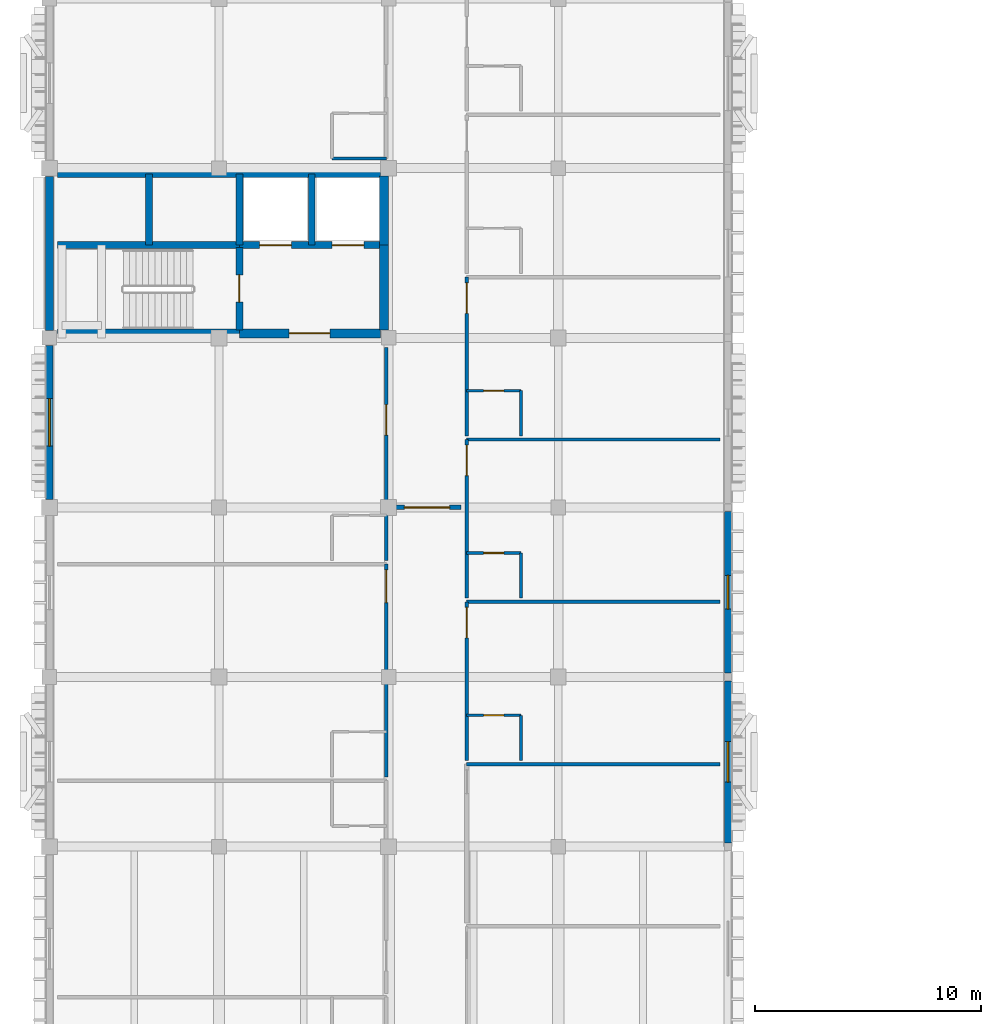
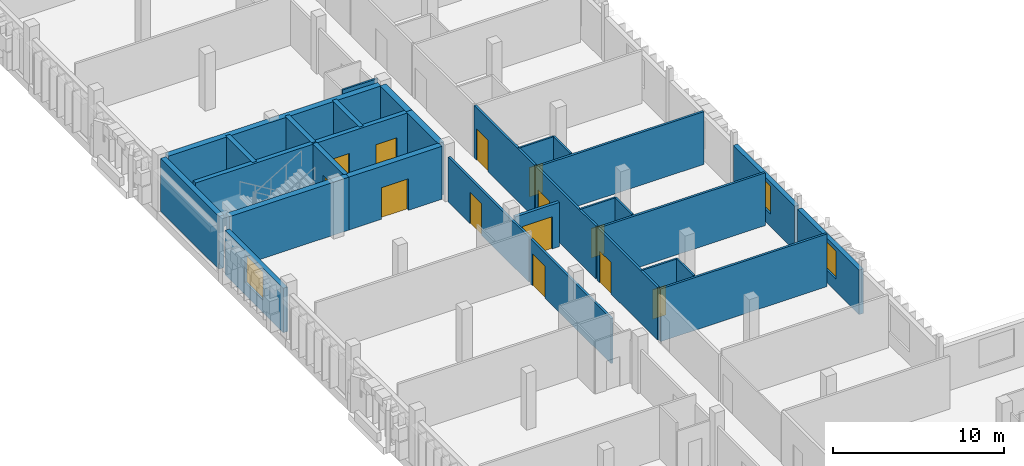
# One storey, part 18 of 48: 31 walls, 13 doors, 3 windows, 16 openings.
"""IFC4 building model written with IfcOpenShell, lengths in metres."""

import ifcopenshell
import ifcopenshell.guid

model = None  # the IFC model being written
_history = None  # IfcOwnerHistory: only IFC2X3 demands one
_inside = {}  # id of a spatial element -> (the spatial element, [elements in it])
_under = {}  # id of a project, library or spatial element -> (it, [spatial elements below it])
_declared = {}  # id of a project -> (the project, [libraries it declares])
_typed = {}  # id of a type object -> (the type object, [elements of that type])
_made_of = {}  # id of a material, layer set ... -> (it, [elements and type objects made of it])


def new_model(schema):
    """Start an empty IFC model of exactly this schema.

    Asked for "IFC4X3", IfcOpenShell would pick the latest addendum, in which some entities
    have other attributes; the version numbers below select the first issue.
    IFC2X3 requires an IfcOwnerHistory on every rooted entity: one is made here for all.
    """
    global model, _history
    if schema == "IFC4X3":
        model = ifcopenshell.file(schema_version=(4, 3, 0, 0))
    else:
        model = ifcopenshell.file(schema=schema)
    _inside.clear()
    _under.clear()
    _declared.clear()
    _typed.clear()
    _made_of.clear()
    _history = None
    if model.schema == "IFC2X3":
        org = make("IfcOrganization", Name="unknown")
        user = make(
            "IfcPersonAndOrganization",
            ThePerson=make("IfcPerson", FamilyName="unknown"),
            TheOrganization=org,
        )
        app = make(
            "IfcApplication",
            ApplicationDeveloper=org,
            Version="unknown",
            ApplicationFullName="unknown",
            ApplicationIdentifier="unknown",
        )
        _history = make(
            "IfcOwnerHistory",
            OwningUser=user,
            OwningApplication=app,
            ChangeAction="ADDED",
            CreationDate=0,
        )
    return model


def make(cls, **values):
    """One entity of the class cls with the attributes given. An attribute that is None is left unset."""
    return model.create_entity(
        cls, **{name: value for name, value in values.items() if value is not None}
    )


def rooted(cls, **values):
    """An entity with a GlobalId (a new one), such as an element, a storey or a relation."""
    return make(cls, GlobalId=ifcopenshell.guid.new(), OwnerHistory=_history, **values)


def si_unit(unit_type, name, prefix=None):
    """IfcSIUnit, for example si_unit("LENGTHUNIT", "METRE", prefix="MILLI")."""
    return make("IfcSIUnit", UnitType=unit_type, Prefix=prefix, Name=name)


def assignment(units):
    """IfcUnitAssignment: the units of a project."""
    return None if units is None else make("IfcUnitAssignment", Units=units)


def point(xyz):
    """IfcCartesianPoint."""
    return None if xyz is None else make("IfcCartesianPoint", Coordinates=xyz)


def direction(xyz):
    """IfcDirection."""
    return None if xyz is None else make("IfcDirection", DirectionRatios=xyz)


def frame(location, z_axis=None, x_axis=None):
    """IfcAxis2Placement3D, a coordinate frame: its origin and axes. An axis left out is left unset."""
    return make(
        "IfcAxis2Placement3D",
        Location=point(location),
        Axis=direction(z_axis),
        RefDirection=direction(x_axis),
    )


def frame_2d(location, x_axis=None):
    """IfcAxis2Placement2D, a coordinate frame in the plane: its origin and x axis."""
    return make(
        "IfcAxis2Placement2D", Location=point(location), RefDirection=direction(x_axis)
    )


def origin():
    """The frame at (0, 0, 0) with its axes left unset."""
    return frame((0.0, 0.0, 0.0))


def place(relative_to, where):
    """IfcLocalPlacement: puts the frame where relative to a parent placement (None: the world)."""
    return make(
        "IfcLocalPlacement", PlacementRelTo=relative_to, RelativePlacement=where
    )


def context(
    kind, dimensions, precision=None, world=None, true_north=None, identifier=None
):
    """IfcGeometricRepresentationContext, for example the 3D "Model" context."""
    return make(
        "IfcGeometricRepresentationContext",
        ContextIdentifier=identifier,
        ContextType=kind,
        CoordinateSpaceDimension=dimensions,
        Precision=precision,
        WorldCoordinateSystem=world,
        TrueNorth=true_north,
    )


def subcontext(parent, identifier, kind, view, scale=None):
    """IfcGeometricRepresentationSubContext, for example "Body" below "Model"."""
    return make(
        "IfcGeometricRepresentationSubContext",
        ContextIdentifier=identifier,
        ContextType=kind,
        ParentContext=parent,
        TargetScale=scale,
        TargetView=view,
    )


def project(units=None, contexts=None):
    """IfcProject with its units and contexts."""
    return rooted(
        "IfcProject",
        Name="project",
        RepresentationContexts=contexts,
        UnitsInContext=assignment(units),
    )


def spatial(cls, under=None, at=None, **own):
    """A site, building, storey or space (cls), placed at a placement, below another one or the project."""
    s = rooted(cls, ObjectPlacement=at, **own)
    if under is not None:
        _under.setdefault(under.id(), (under, []))[1].append(s)
    return s


def profile(cls, at=None, kind="AREA", **sizes):
    """A parametric profile (cls). Its sizes go by their IFC names, for example OverallWidth=200.0."""
    return make(cls, ProfileType=kind, Position=at, **sizes)


def rectangle(**sizes):
    """IfcRectangleProfileDef."""
    return profile("IfcRectangleProfileDef", **sizes)


def extrude(swept, where, along, depth):
    """IfcExtrudedAreaSolid: the profile swept, set in the frame where, extruded along a direction by depth."""
    return make(
        "IfcExtrudedAreaSolid",
        SweptArea=swept,
        Position=where,
        ExtrudedDirection=direction(along),
        Depth=depth,
    )


def shape(context_of_items, identifier, shape_type, items):
    """IfcShapeRepresentation: the items that make up one representation, for example the "Body"."""
    return make(
        "IfcShapeRepresentation",
        ContextOfItems=context_of_items,
        RepresentationIdentifier=identifier,
        RepresentationType=shape_type,
        Items=items,
    )


def material(Name=None, Category=None):
    """IfcMaterial."""
    return make("IfcMaterial", Name=Name, Category=Category)


def layer(
    of_material, thickness, ventilated=None, Name=None, Category=None, Priority=None
):
    """IfcMaterialLayer: one layer of a wall or slab, of a material (None: an air gap)."""
    return make(
        "IfcMaterialLayer",
        Material=of_material,
        LayerThickness=thickness,
        IsVentilated=ventilated,
        Name=Name,
        Category=Category,
        Priority=Priority,
    )


def layer_set(layers, Name=None):
    """IfcMaterialLayerSet."""
    return make("IfcMaterialLayerSet", MaterialLayers=layers, LayerSetName=Name)


def made_of(thing, what):
    """Note that an element or type object is made of a material, layer set ...; save() writes the relation."""
    if what is not None:
        _made_of.setdefault(what.id(), (what, []))[1].append(thing)
    return thing


def type_object(cls, material=None, **own):
    """A type object (cls), such as IfcWallType, which elements share."""
    return made_of(rooted(cls, **own), material)


def element(
    cls,
    number,
    at=None,
    inside=None,
    cuts=None,
    type_object=None,
    material=None,
    context=None,
    identifier="Body",
    shape_type=None,
    held_by="IfcProductDefinitionShape",
    body=None,
    shapes=None,
    **own,
):
    """One element of the class cls, such as IfcWall. Its Tag is "e" and its number.

    at: its placement. inside: the storey or other place that contains it. cuts: it is an
    opening in that element (IfcRelVoidsElement). A single representation is given by context,
    identifier, shape_type and body (its items); several are given by shapes. held_by: the class
    of the entity that holds the representations. save() writes the other relations.
    """
    e = rooted(cls, Tag="e%d" % number, ObjectPlacement=at, **own)
    if body is not None:
        shapes = [shape(context, identifier, shape_type, body)]
    if shapes is not None:
        e.Representation = make(held_by, Representations=shapes)
    if inside is not None:
        _inside.setdefault(inside.id(), (inside, []))[1].append(e)
    if cuts is not None:
        rooted(
            "IfcRelVoidsElement", RelatingBuildingElement=cuts, RelatedOpeningElement=e
        )
    if type_object is not None:
        _typed.setdefault(type_object.id(), (type_object, []))[1].append(e)
    return made_of(e, material)


def fill(opening, filler):
    """IfcRelFillsElement: the door or window that sits in an opening."""
    return rooted(
        "IfcRelFillsElement",
        RelatingOpeningElement=opening,
        RelatedBuildingElement=filler,
    )


def aggregate(whole, parts):
    """IfcRelAggregates: a whole, such as a stair, and the parts it consists of."""
    return rooted("IfcRelAggregates", RelatingObject=whole, RelatedObjects=parts)


def save(model, path):
    """Write the relations noted so far, then the file.

    IfcRelAggregates (storeys below a building ...), IfcRelContainedInSpatialStructure (elements
    in a storey), IfcRelDefinesByType, IfcRelAssociatesMaterial and IfcRelDeclares: one each for
    every whole, place, type object, material and project.
    """
    for whole, parts in _under.values():
        aggregate(whole, parts)
    for where, things in _inside.values():
        rooted(
            "IfcRelContainedInSpatialStructure",
            RelatedElements=things,
            RelatingStructure=where,
        )
    for kind, things in _typed.values():
        rooted("IfcRelDefinesByType", RelatedObjects=things, RelatingType=kind)
    for what, things in _made_of.values():
        rooted("IfcRelAssociatesMaterial", RelatedObjects=things, RelatingMaterial=what)
    for by, libraries in _declared.values():
        rooted("IfcRelDeclares", RelatingContext=by, RelatedDefinitions=libraries)
    model.write(path)


model = new_model("IFC4")

# Units and contexts
model_context = context("Model", 3, precision=1e-05, world=origin(), true_north=direction((0.0, 1.0)))
body_context = subcontext(model_context, "Body", "Model", "MODEL_VIEW")
ifc_project = project(units=[si_unit("LENGTHUNIT", "METRE"), si_unit("AREAUNIT", "SQUARE_METRE"), si_unit("VOLUMEUNIT", "CUBIC_METRE"), si_unit("PLANEANGLEUNIT", "RADIAN"), si_unit("MASSUNIT", "GRAM", prefix="KILO")], contexts=[model_context])

# Site, building, storey
site_placement = place(None, origin())
site = spatial("IfcSite", under=ifc_project, at=site_placement, CompositionType="ELEMENT")
building_placement = place(site_placement, origin())
building = spatial("IfcBuilding", under=site, at=building_placement, Name="Dalvernix Boulevard General Hospital", CompositionType="ELEMENT")
storey_placement = place(building_placement, frame((0.0, 0.0, 17.85009765625)))
storey = spatial("IfcBuildingStorey", under=building, at=storey_placement, Name="L04", CompositionType="ELEMENT", Elevation=17.85009765625)

# Wall
ifc_material_1 = material(Name="Concrete C40/50", Category="concrete")
ifc_layer_1 = layer(ifc_material_1, 0.39990234375)
ifc_layer_set_1 = layer_set([ifc_layer_1], Name="Concrete C40/50 (WAL-CSW-01)")
wall_type_1 = type_object("IfcWallType", Name="WAL-CSW-01", PredefinedType="SHEAR", material=ifc_layer_set_1)
wall_1_placement = place(storey_placement, frame((0.35009765625, 54.199951171875, 0.0), z_axis=(0.0, 0.0, 1.0), x_axis=(1.0, 0.0, 0.0)))
element("IfcWall", 1, at=wall_1_placement, inside=storey, type_object=wall_type_1, Name="L04 C2 south stairwell wall", PredefinedType="SHEAR", context=body_context, shape_type="SweptSolid", body=[
    extrude(rectangle(XDim=8.0498046875, YDim=0.39990234375, at=frame_2d((4.02490234375, 0.0))), origin(), (0.0, 0.0, 1.0), 3.77001953125),
])

# Wall, opening, door
wall_2_placement = place(storey_placement, frame((8.39990234375, 54.199951171875, 0.0), z_axis=(0.0, 0.0, 1.0), x_axis=(1.0, 0.0, 0.0)))
wall_2 = element("IfcWall", 2, at=wall_2_placement, inside=storey, type_object=wall_type_1, Name="L04 C2 south firefighting lobby wall", PredefinedType="SHEAR", context=body_context, shape_type="SweptSolid", body=[
    extrude(rectangle(XDim=6.25, YDim=0.39990234375, at=frame_2d((3.125, 0.0))), origin(), (0.0, 0.0, 1.0), 3.77001953125),
])
opening_1_placement = place(wall_2_placement, frame((2.199951171875, 0.0, 0.0)))
opening_1 = element("IfcOpeningElement", 3, at=opening_1_placement, cuts=wall_2, Name="Opening FD-01", PredefinedType="OPENING", context=body_context, shape_type="SweptSolid", body=[
    extrude(rectangle(XDim=1.800048828125, YDim=2.25, at=frame_2d((0.89990234375, 1.125))), frame((0.0, 0.2099609375, 0.0), z_axis=(0.0, -1.0, 0.0), x_axis=(1.0, 0.0, 0.0)), (0.0, 0.0, 1.0), 0.419921875),
])
ifc_material_2 = material(Name="Hospital laminate acoustic timber and steel frame", Category="steel")
door_type_1 = type_object("IfcDoorType", Name="DR-FD-01", OperationType="DOUBLE_DOOR_SINGLE_SWING", PredefinedType="DOOR", material=ifc_material_2)
door_1_placement = place(opening_1_placement, origin())
door_1 = element("IfcDoor", 4, at=door_1_placement, inside=storey, type_object=door_type_1, Name="L04 C2 firefighting lobby door", OperationType="DOUBLE_DOOR_SINGLE_SWING", OverallHeight=2.25, OverallWidth=1.800048828125, PredefinedType="DOOR", context=body_context, shape_type="SweptSolid", body=[
    extrude(rectangle(XDim=1.800048828125, YDim=2.25, at=frame_2d((0.89990234375, 1.125))), frame((0.0, 0.02490234375, 0.0), z_axis=(0.0, -1.0, 0.0), x_axis=(1.0, 0.0, 0.0)), (0.0, 0.0, 1.0), 0.050048828125),
])
fill(opening_1, door_1)

# Walls
wall_3_placement = place(storey_placement, frame((0.35009765625, 61.300048828125, 0.0), z_axis=(0.0, 0.0, 1.0), x_axis=(1.0, 0.0, 0.0)))
element("IfcWall", 5, at=wall_3_placement, inside=storey, type_object=wall_type_1, Name="L04 C2 north shaft core wall", PredefinedType="SHEAR", context=body_context, shape_type="SweptSolid", body=[
    extrude(rectangle(XDim=14.2998046875, YDim=0.39990234375, at=frame_2d((7.14990234375, 0.0))), origin(), (0.0, 0.0, 1.0), 3.77001953125),
])
wall_4_placement = place(storey_placement, frame((14.800048828125, 54.35009765625, 0.0), z_axis=(0.0, 0.0, 1.0), x_axis=(0.0, 1.0, 0.0)))
element("IfcWall", 6, at=wall_4_placement, inside=storey, type_object=wall_type_1, Name="L04 C2 east lobby core wall", PredefinedType="SHEAR", context=body_context, shape_type="SweptSolid", body=[
    extrude(rectangle(XDim=3.75, YDim=0.39990234375, at=frame_2d((1.875, 0.0))), origin(), (0.0, 0.0, 1.0), 3.77001953125),
])
wall_5_placement = place(storey_placement, frame((14.800048828125, 58.10009765625, 0.0), z_axis=(0.0, 0.0, 1.0), x_axis=(0.0, 1.0, 0.0)))
element("IfcWall", 7, at=wall_5_placement, inside=storey, type_object=wall_type_1, Name="L04 C2 east shaft core wall", PredefinedType="SHEAR", context=body_context, shape_type="SweptSolid", body=[
    extrude(rectangle(XDim=3.0498046875, YDim=0.39990234375, at=frame_2d((1.52490234375, 0.0))), origin(), (0.0, 0.0, 1.0), 3.77001953125),
])
ifc_layer_2 = layer(ifc_material_1, 0.300048828125)
ifc_layer_set_2 = layer_set([ifc_layer_2], Name="Concrete C40/50 (WAL-CSW-02)")
wall_type_2 = type_object("IfcWallType", Name="WAL-CSW-02", PredefinedType="SHEAR", material=ifc_layer_set_2)
wall_6_placement = place(storey_placement, frame((0.35009765625, 58.10009765625, 0.0), z_axis=(0.0, 0.0, 1.0), x_axis=(1.0, 0.0, 0.0)))
element("IfcWall", 8, at=wall_6_placement, inside=storey, type_object=wall_type_2, Name="L04 C2 riser spine wall", PredefinedType="SHEAR", context=body_context, shape_type="SweptSolid", body=[
    extrude(rectangle(XDim=8.0498046875, YDim=0.300048828125, at=frame_2d((4.02490234375, 0.0))), origin(), (0.0, 0.0, 1.0), 3.77001953125),
])

# Wall, openings, doors
wall_7_placement = place(storey_placement, frame((8.39990234375, 58.10009765625, 0.0), z_axis=(0.0, 0.0, 1.0), x_axis=(1.0, 0.0, 0.0)))
wall_7 = element("IfcWall", 9, at=wall_7_placement, inside=storey, type_object=wall_type_2, Name="L04 C2 lift shaft front wall", PredefinedType="SHEAR", context=body_context, shape_type="SweptSolid", body=[
    extrude(rectangle(XDim=6.25, YDim=0.300048828125, at=frame_2d((3.125, 0.0))), origin(), (0.0, 0.0, 1.0), 3.77001953125),
])
opening_2_placement = place(wall_7_placement, frame((0.89990234375, 0.0, 0.0)))
opening_2 = element("IfcOpeningElement", 10, at=opening_2_placement, cuts=wall_7, Name="Opening LD-FFL-03-L04", PredefinedType="OPENING", context=body_context, shape_type="SweptSolid", body=[
    extrude(rectangle(XDim=1.39990234375, YDim=2.25, at=frame_2d((0.699951171875, 1.125))), frame((0.0, 0.159912109375, 0.0), z_axis=(0.0, -1.0, 0.0), x_axis=(1.0, 0.0, 0.0)), (0.0, 0.0, 1.0), 0.320068359375),
])
opening_3_placement = place(wall_7_placement, frame((4.10009765625, 0.0, 0.0)))
opening_3 = element("IfcOpeningElement", 11, at=opening_3_placement, cuts=wall_7, Name="Opening LD-FFL-04-L04", PredefinedType="OPENING", context=body_context, shape_type="SweptSolid", body=[
    extrude(rectangle(XDim=1.39990234375, YDim=2.25, at=frame_2d((0.699951171875, 1.125))), frame((0.0, 0.159912109375, 0.0), z_axis=(0.0, -1.0, 0.0), x_axis=(1.0, 0.0, 0.0)), (0.0, 0.0, 1.0), 0.320068359375),
])
ifc_material_3 = material(Name="Stainless-clad steel", Category="steel")
door_type_2 = type_object("IfcDoorType", Name="DR-LD-01", OperationType="DOUBLE_DOOR_SLIDING", PredefinedType="DOOR", material=ifc_material_3)
door_2_placement = place(opening_2_placement, origin())
door_2 = element("IfcDoor", 12, at=door_2_placement, inside=storey, type_object=door_type_2, Name="L04 Lift FFL-03 sliding landing door", OperationType="DOUBLE_DOOR_SLIDING", OverallHeight=2.25, OverallWidth=1.39990234375, PredefinedType="DOOR", context=body_context, shape_type="SweptSolid", body=[
    extrude(rectangle(XDim=1.39990234375, YDim=2.25, at=frame_2d((0.699951171875, 1.125))), frame((0.0, 0.02490234375, 0.0), z_axis=(0.0, -1.0, 0.0), x_axis=(1.0, 0.0, 0.0)), (0.0, 0.0, 1.0), 0.050048828125),
])
fill(opening_2, door_2)
door_3_placement = place(opening_3_placement, origin())
door_3 = element("IfcDoor", 13, at=door_3_placement, inside=storey, type_object=door_type_2, Name="L04 Lift FFL-04 sliding landing door", OperationType="DOUBLE_DOOR_SLIDING", OverallHeight=2.25, OverallWidth=1.39990234375, PredefinedType="DOOR", context=body_context, shape_type="SweptSolid", body=[
    extrude(rectangle(XDim=1.39990234375, YDim=2.25, at=frame_2d((0.699951171875, 1.125))), frame((0.0, 0.02490234375, 0.0), z_axis=(0.0, -1.0, 0.0), x_axis=(1.0, 0.0, 0.0)), (0.0, 0.0, 1.0), 0.050048828125),
])
fill(opening_3, door_3)

# Wall, opening, door
wall_8_placement = place(storey_placement, frame((8.39990234375, 58.0, 0.0), z_axis=(0.0, 0.0, 1.0), x_axis=(0.0, -1.0, 0.0)))
wall_8 = element("IfcWall", 14, at=wall_8_placement, inside=storey, type_object=wall_type_2, Name="L04 C2 stairwell fire wall", PredefinedType="SHEAR", context=body_context, shape_type="SweptSolid", body=[
    extrude(rectangle(XDim=3.64990234375, YDim=0.300048828125, at=frame_2d((1.824951171875, 0.0))), origin(), (0.0, 0.0, 1.0), 3.77001953125),
])
opening_4_placement = place(wall_8_placement, frame((1.219970703125, 0.0, 0.0)))
opening_4 = element("IfcOpeningElement", 15, at=opening_4_placement, cuts=wall_8, Name="Opening FD-02", PredefinedType="OPENING", context=body_context, shape_type="SweptSolid", body=[
    extrude(rectangle(XDim=1.199951171875, YDim=2.25, at=frame_2d((0.60009765625, 1.125))), frame((0.0, 0.159912109375, 0.0), z_axis=(0.0, -1.0, 0.0), x_axis=(1.0, 0.0, 0.0)), (0.0, 0.0, 1.0), 0.320068359375),
])
door_type_3 = type_object("IfcDoorType", Name="DR-FD-02", OperationType="NOTDEFINED", PredefinedType="DOOR", material=ifc_material_2)
door_4_placement = place(opening_4_placement, origin())
door_4 = element("IfcDoor", 16, at=door_4_placement, inside=storey, type_object=door_type_3, Name="L04 Stair ST-02 fire door", OperationType="SINGLE_SWING_RIGHT", OverallHeight=2.25, OverallWidth=1.199951171875, PredefinedType="DOOR", context=body_context, shape_type="SweptSolid", body=[
    extrude(rectangle(XDim=1.199951171875, YDim=2.25, at=frame_2d((0.60009765625, 1.125))), frame((0.0, 0.02490234375, 0.0), z_axis=(0.0, -1.0, 0.0), x_axis=(1.0, 0.0, 0.0)), (0.0, 0.0, 1.0), 0.050048828125),
])
fill(opening_4, door_4)

# Walls
for number, where, z_axis, x_axis, name in (
    (17, (4.39990234375, 58.10009765625, 0.0), (0.0, 0.0, 1.0), (0.0, 1.0, 0.0), "L04 C2 shaft divider R1"),
    (18, (8.39990234375, 58.10009765625, 0.0), (0.0, 0.0, 1.0), (0.0, 1.0, 0.0), "L04 C2 shaft divider R2"),
    (19, (11.60009765625, 58.10009765625, 0.0), (0.0, 0.0, 1.0), (0.0, 1.0, 0.0), "L04 C2 shaft divider L1"),
):
    element("IfcWall", number, at=place(storey_placement, frame(where, z_axis=z_axis, x_axis=x_axis)), inside=storey, type_object=wall_type_2, Name=name, PredefinedType="SHEAR", context=body_context, shape_type="SweptSolid", body=[
        extrude(rectangle(XDim=3.14990234375, YDim=0.300048828125, at=frame_2d((1.574951171875, 0.0))), origin(), (0.0, 0.0, 1.0), 3.77001953125),
    ])
ifc_layer_3 = layer(ifc_material_1, 0.35009765625)
ifc_layer_set_3 = layer_set([ifc_layer_3], Name="Concrete C40/50 (WAL-ESW-01)")
wall_type_3 = type_object("IfcWallType", Name="WAL-ESW-01", PredefinedType="SHEAR", material=ifc_layer_set_3)
wall_9_placement = place(storey_placement, frame((0.0, 54.3349609375, 0.0), z_axis=(0.0, 0.0, 1.0), x_axis=(0.0, 1.0, 0.0)))
element("IfcWall", 20, at=wall_9_placement, inside=storey, type_object=wall_type_3, Name="L04 core perimeter shear wall W 0-7", PredefinedType="SHEAR", context=body_context, shape_type="SweptSolid", body=[
    extrude(rectangle(XDim=6.804931640625, YDim=0.35009765625, at=frame_2d((3.40234375, 0.0))), origin(), (0.0, 0.0, 1.0), 3.77001953125),
])

# Wall, opening, window
ifc_material_4 = material(Name="Pressed Catalan clay brick and ceramic spandrel wall C35/45", Category="masonry")
ifc_layer_4 = layer(ifc_material_4, 0.300048828125)
ifc_layer_set_4 = layer_set([ifc_layer_4], Name="Pressed Catalan clay brick and ceramic spandrel wall C35/45 (WAL-EW-02)")
wall_type_4 = type_object("IfcWallType", Name="WAL-EW-02", PredefinedType="STANDARD", material=ifc_layer_set_4)
wall_10_placement = place(storey_placement, frame((0.0, 46.860107421875, 0.0), z_axis=(0.0, 0.0, 1.0), x_axis=(0.0, 1.0, 0.0)))
wall_10 = element("IfcWall", 21, at=wall_10_placement, inside=storey, type_object=wall_type_4, Name="L04 Catalan brick external wall W 0-6", PredefinedType="STANDARD", context=body_context, shape_type="SweptSolid", body=[
    extrude(rectangle(XDim=6.804931640625, YDim=0.300048828125, at=frame_2d((3.40234375, 0.0))), origin(), (0.0, 0.0, 1.0), 3.169921875),
])
opening_5_placement = place(wall_10_placement, frame((2.3525390625, 0.0, 0.89990234375)))
opening_5 = element("IfcOpeningElement", 22, at=opening_5_placement, cuts=wall_10, Name="Opening WN-03", PredefinedType="OPENING", context=body_context, shape_type="SweptSolid", body=[
    extrude(rectangle(XDim=2.10009765625, YDim=1.989990234375, at=frame_2d((1.050048828125, 0.9951171875))), frame((0.0, 0.159912109375, 0.0), z_axis=(0.0, -1.0, 0.0), x_axis=(1.0, 0.0, 0.0)), (0.0, 0.0, 1.0), 0.320068359375),
])
ifc_material_5 = material(Name="Thermally broken aluminium frame with solar-control double glazing", Category="aluminium")
window_type_1 = type_object("IfcWindowType", Name="WIN-WN-03", PartitioningType="SINGLE_PANEL", PredefinedType="WINDOW", material=ifc_material_5)
window_1_placement = place(opening_5_placement, origin())
window_1 = element("IfcWindow", 23, at=window_1_placement, inside=storey, type_object=window_type_1, Name="L04 clinical window WN-03 W 0-6", OverallHeight=1.989990234375, OverallWidth=2.10009765625, PartitioningType="SINGLE_PANEL", PredefinedType="WINDOW", context=body_context, shape_type="SweptSolid", body=[
    extrude(rectangle(XDim=2.10009765625, YDim=1.989990234375, at=frame_2d((1.050048828125, 0.9951171875))), frame((0.0, 0.030029296875, 0.0), z_axis=(0.0, -1.0, 0.0), x_axis=(1.0, 0.0, 0.0)), (0.0, 0.0, 1.0), 0.06005859375),
])
fill(opening_5, window_1)

wall_11_placement = place(storey_placement, frame((30.0, 38.830078125, 0.0), z_axis=(0.0, 0.0, 1.0), x_axis=(0.0, -1.0, 0.0)))
wall_11 = element("IfcWall", 24, at=wall_11_placement, inside=storey, type_object=wall_type_4, Name="L04 Catalan brick external wall E 4-4", PredefinedType="STANDARD", context=body_context, shape_type="SweptSolid", body=[
    extrude(rectangle(XDim=7.16015625, YDim=0.300048828125, at=frame_2d((3.580078125, 0.0))), origin(), (0.0, 0.0, 1.0), 3.169921875),
])
opening_6_placement = place(wall_11_placement, frame((2.679931640625, 0.0, 0.89990234375)))
opening_6 = element("IfcOpeningElement", 25, at=opening_6_placement, cuts=wall_11, Name="Opening WN-05", PredefinedType="OPENING", context=body_context, shape_type="SweptSolid", body=[
    extrude(rectangle(XDim=1.800048828125, YDim=1.989990234375, at=frame_2d((0.89990234375, 0.9951171875))), frame((0.0, 0.159912109375, 0.0), z_axis=(0.0, -1.0, 0.0), x_axis=(1.0, 0.0, 0.0)), (0.0, 0.0, 1.0), 0.320068359375),
])
window_type_2 = type_object("IfcWindowType", Name="WIN-WN-05", PartitioningType="SINGLE_PANEL", PredefinedType="WINDOW", material=ifc_material_5)
window_2_placement = place(opening_6_placement, origin())
window_2 = element("IfcWindow", 26, at=window_2_placement, inside=storey, type_object=window_type_2, Name="L04 clinical window WN-05 E 4-4", OverallHeight=1.989990234375, OverallWidth=1.800048828125, PartitioningType="SINGLE_PANEL", PredefinedType="WINDOW", context=body_context, shape_type="SweptSolid", body=[
    extrude(rectangle(XDim=1.800048828125, YDim=1.989990234375, at=frame_2d((0.89990234375, 0.9951171875))), frame((0.0, 0.030029296875, 0.0), z_axis=(0.0, -1.0, 0.0), x_axis=(1.0, 0.0, 0.0)), (0.0, 0.0, 1.0), 0.06005859375),
])
fill(opening_6, window_2)

wall_12_placement = place(storey_placement, frame((30.0, 46.330078125, 0.0), z_axis=(0.0, 0.0, 1.0), x_axis=(0.0, -1.0, 0.0)))
wall_12 = element("IfcWall", 27, at=wall_12_placement, inside=storey, type_object=wall_type_4, Name="L04 Catalan brick external wall E 4-5", PredefinedType="STANDARD", context=body_context, shape_type="SweptSolid", body=[
    extrude(rectangle(XDim=7.16015625, YDim=0.300048828125, at=frame_2d((3.580078125, 0.0))), origin(), (0.0, 0.0, 1.0), 3.169921875),
])
opening_7_placement = place(wall_12_placement, frame((2.830078125, 0.0, 0.89990234375)))
opening_7 = element("IfcOpeningElement", 28, at=opening_7_placement, cuts=wall_12, Name="Opening WN-06", PredefinedType="OPENING", context=body_context, shape_type="SweptSolid", body=[
    extrude(rectangle(XDim=1.5, YDim=1.989990234375, at=frame_2d((0.75, 0.9951171875))), frame((0.0, 0.159912109375, 0.0), z_axis=(0.0, -1.0, 0.0), x_axis=(1.0, 0.0, 0.0)), (0.0, 0.0, 1.0), 0.320068359375),
])
window_type_3 = type_object("IfcWindowType", Name="WIN-WN-06", PartitioningType="SINGLE_PANEL", PredefinedType="WINDOW", material=ifc_material_5)
window_3_placement = place(opening_7_placement, origin())
window_3 = element("IfcWindow", 29, at=window_3_placement, inside=storey, type_object=window_type_3, Name="L04 clinical window WN-06 E 4-5", OverallHeight=1.989990234375, OverallWidth=1.5, PartitioningType="SINGLE_PANEL", PredefinedType="WINDOW", context=body_context, shape_type="SweptSolid", body=[
    extrude(rectangle(XDim=1.5, YDim=1.989990234375, at=frame_2d((0.75, 0.9951171875))), frame((0.0, 0.030029296875, 0.0), z_axis=(0.0, -1.0, 0.0), x_axis=(1.0, 0.0, 0.0)), (0.0, 0.0, 1.0), 0.06005859375),
])
fill(opening_7, window_3)

# Wall, opening, door
ifc_material_6 = material(Name="Fire-compartment corridor masonry wall", Category="masonry")
ifc_layer_5 = layer(ifc_material_6, 0.199951171875)
ifc_layer_set_5 = layer_set([ifc_layer_5], Name="Fire-compartment corridor masonry wall (WAL-IW-02)")
wall_type_5 = type_object("IfcWallType", Name="WAL-IW-02", PredefinedType="STANDARD", material=ifc_layer_set_5)
wall_13_placement = place(storey_placement, frame((15.199951171875, 46.5, 0.0), z_axis=(0.0, 0.0, 1.0), x_axis=(1.0, 0.0, 0.0)))
wall_13 = element("IfcWall", 30, at=wall_13_placement, inside=storey, type_object=wall_type_5, Name="L04 horizontal progressive evacuation compartment wall 5", PredefinedType="STANDARD", context=body_context, shape_type="SweptSolid", body=[
    extrude(rectangle(XDim=3.0, YDim=0.199951171875, at=frame_2d((1.5, 0.0))), origin(), (0.0, 0.0, 1.0), 3.15478515625),
])
opening_8_placement = place(wall_13_placement, frame((0.5, 0.0, 0.0)))
opening_8 = element("IfcOpeningElement", 31, at=opening_8_placement, cuts=wall_13, Name="Opening FD-03", PredefinedType="OPENING", context=body_context, shape_type="SweptSolid", body=[
    extrude(rectangle(XDim=2.0, YDim=2.300048828125, at=frame_2d((1.0, 1.14990234375))), frame((0.0, 0.10986328125, 0.0), z_axis=(0.0, -1.0, 0.0), x_axis=(1.0, 0.0, 0.0)), (0.0, 0.0, 1.0), 0.219970703125),
])
door_type_4 = type_object("IfcDoorType", Name="DR-FD-03", OperationType="DOUBLE_DOOR_SINGLE_SWING", PredefinedType="DOOR", material=ifc_material_2)
door_5_placement = place(opening_8_placement, origin())
door_5 = element("IfcDoor", 32, at=door_5_placement, inside=storey, type_object=door_type_4, Name="L04 horizontal compartment hold-open fire door 5", OperationType="DOUBLE_DOOR_SINGLE_SWING", OverallHeight=2.300048828125, OverallWidth=2.0, PredefinedType="DOOR", context=body_context, shape_type="SweptSolid", body=[
    extrude(rectangle(XDim=2.0, YDim=2.300048828125, at=frame_2d((1.0, 1.14990234375))), frame((0.0, 0.02490234375, 0.0), z_axis=(0.0, -1.0, 0.0), x_axis=(1.0, 0.0, 0.0)), (0.0, 0.0, 1.0), 0.050048828125),
])
fill(opening_8, door_5)

ifc_material_7 = material(Name="Acoustic double-stud gypsum inpatient partition")
ifc_layer_6 = layer(ifc_material_7, 0.14990234375)
ifc_layer_set_6 = layer_set([ifc_layer_6], Name="Acoustic double-stud gypsum inpatient partition (WAL-IW-04)")
wall_type_6 = type_object("IfcWallType", Name="WAL-IW-04", PredefinedType="PARTITIONING", material=ifc_layer_set_6)
wall_14_placement = place(storey_placement, frame((14.89990234375, 34.580078125, 0.0), z_axis=(0.0, 0.0, 1.0), x_axis=(0.0, 1.0, 0.0)))
wall_14 = element("IfcWall", 33, at=wall_14_placement, inside=storey, type_object=wall_type_6, Name="L04 Four Bed Medical Inpatient Ward L04-W04 corridor wall", PredefinedType="PARTITIONING", context=body_context, shape_type="SweptSolid", body=[
    extrude(rectangle(XDim=9.4150390625, YDim=0.14990234375, at=frame_2d((4.70751953125, 0.0))), origin(), (0.0, 0.0, 1.0), 3.204833984375),
])
opening_9_placement = place(wall_14_placement, frame((7.715087890625, 0.0, 0.0)))
opening_9 = element("IfcOpeningElement", 34, at=opening_9_placement, cuts=wall_14, Name="Opening ID-02", PredefinedType="OPENING", context=body_context, shape_type="SweptSolid", body=[
    extrude(rectangle(XDim=1.449951171875, YDim=2.300048828125, at=frame_2d((0.72509765625, 1.14990234375))), frame((0.0, 0.0849609375, 0.0), z_axis=(0.0, -1.0, 0.0), x_axis=(1.0, 0.0, 0.0)), (0.0, 0.0, 1.0), 0.169921875),
])
door_type_5 = type_object("IfcDoorType", Name="DR-ID-02", OperationType="NOTDEFINED", PredefinedType="DOOR", material=ifc_material_2)
door_6_placement = place(opening_9_placement, origin())
door_6 = element("IfcDoor", 35, at=door_6_placement, inside=storey, type_object=door_type_5, Name="L04 Four Bed Medical Inpatient Ward L04-W04 door", OperationType="SINGLE_SWING_LEFT", OverallHeight=2.300048828125, OverallWidth=1.449951171875, PredefinedType="DOOR", context=body_context, shape_type="SweptSolid", body=[
    extrude(rectangle(XDim=1.449951171875, YDim=2.300048828125, at=frame_2d((0.72509765625, 1.14990234375))), frame((0.0, 0.02490234375, 0.0), z_axis=(0.0, -1.0, 0.0), x_axis=(1.0, 0.0, 0.0)), (0.0, 0.0, 1.0), 0.050048828125),
])
fill(opening_9, door_6)

wall_15_placement = place(storey_placement, frame((14.89990234375, 44.155029296875, 0.0), z_axis=(0.0, 0.0, 1.0), x_axis=(0.0, 1.0, 0.0)))
wall_15 = element("IfcWall", 36, at=wall_15_placement, inside=storey, type_object=wall_type_6, Name="L04 General Medical Single Patient Room L04-W05 corridor wall", PredefinedType="PARTITIONING", context=body_context, shape_type="SweptSolid", body=[
    extrude(rectangle(XDim=9.4150390625, YDim=0.14990234375, at=frame_2d((4.70751953125, 0.0))), origin(), (0.0, 0.0, 1.0), 3.204833984375),
])
opening_10_placement = place(wall_15_placement, frame((5.54541015625, 0.0, 0.0)))
opening_10 = element("IfcOpeningElement", 37, at=opening_10_placement, cuts=wall_15, Name="Opening ID-01", PredefinedType="OPENING", context=body_context, shape_type="SweptSolid", body=[
    extrude(rectangle(XDim=1.35009765625, YDim=2.25, at=frame_2d((0.675048828125, 1.125))), frame((0.0, 0.0849609375, 0.0), z_axis=(0.0, -1.0, 0.0), x_axis=(1.0, 0.0, 0.0)), (0.0, 0.0, 1.0), 0.169921875),
])
door_type_6 = type_object("IfcDoorType", Name="DR-ID-01", OperationType="NOTDEFINED", PredefinedType="DOOR", material=ifc_material_2)
door_7_placement = place(opening_10_placement, origin())
door_7 = element("IfcDoor", 38, at=door_7_placement, inside=storey, type_object=door_type_6, Name="L04 General Medical Single Patient Room L04-W05 door", OperationType="SINGLE_SWING_LEFT", OverallHeight=2.25, OverallWidth=1.35009765625, PredefinedType="DOOR", context=body_context, shape_type="SweptSolid", body=[
    extrude(rectangle(XDim=1.35009765625, YDim=2.25, at=frame_2d((0.675048828125, 1.125))), frame((0.0, 0.02490234375, 0.0), z_axis=(0.0, -1.0, 0.0), x_axis=(1.0, 0.0, 0.0)), (0.0, 0.0, 1.0), 0.050048828125),
])
fill(opening_10, door_7)

wall_16_placement = place(storey_placement, frame((18.449951171875, 42.3291015625, 0.0), z_axis=(0.0, 0.0, 1.0), x_axis=(0.0, -1.0, 0.0)))
wall_16 = element("IfcWall", 39, at=wall_16_placement, inside=storey, type_object=wall_type_6, Name="L04 Single Patient Room L04-E03 corridor wall", PredefinedType="PARTITIONING", context=body_context, shape_type="SweptSolid", body=[
    extrude(rectangle(XDim=7.017333984375, YDim=0.14990234375, at=frame_2d((3.5087890625, 0.0))), origin(), (0.0, 0.0, 1.0), 3.7548828125),
])
opening_11_placement = place(wall_16_placement, frame((0.25, 0.0, 0.0)))
opening_11 = element("IfcOpeningElement", 40, at=opening_11_placement, cuts=wall_16, Name="Opening ID-01", PredefinedType="OPENING", context=body_context, shape_type="SweptSolid", body=[
    extrude(rectangle(XDim=1.35009765625, YDim=2.25, at=frame_2d((0.675048828125, 1.125))), frame((0.0, 0.0849609375, 0.0), z_axis=(0.0, -1.0, 0.0), x_axis=(1.0, 0.0, 0.0)), (0.0, 0.0, 1.0), 0.169921875),
])
door_8_placement = place(opening_11_placement, origin())
door_8 = element("IfcDoor", 41, at=door_8_placement, inside=storey, type_object=door_type_6, Name="L04 Single Patient Room L04-E03 door", OperationType="SINGLE_SWING_RIGHT", OverallHeight=2.25, OverallWidth=1.35009765625, PredefinedType="DOOR", context=body_context, shape_type="SweptSolid", body=[
    extrude(rectangle(XDim=1.35009765625, YDim=2.25, at=frame_2d((0.675048828125, 1.125))), frame((0.0, 0.02490234375, 0.0), z_axis=(0.0, -1.0, 0.0), x_axis=(1.0, 0.0, 0.0)), (0.0, 0.0, 1.0), 0.050048828125),
])
fill(opening_11, door_8)

wall_17_placement = place(storey_placement, frame((18.449951171875, 49.50634765625, 0.0), z_axis=(0.0, 0.0, 1.0), x_axis=(0.0, -1.0, 0.0)))
wall_17 = element("IfcWall", 42, at=wall_17_placement, inside=storey, type_object=wall_type_6, Name="L04 Single Patient Room L04-E04 corridor wall", PredefinedType="PARTITIONING", context=body_context, shape_type="SweptSolid", body=[
    extrude(rectangle(XDim=7.017333984375, YDim=0.14990234375, at=frame_2d((3.5087890625, 0.0))), origin(), (0.0, 0.0, 1.0), 3.7548828125),
])
opening_12_placement = place(wall_17_placement, frame((0.25, 0.0, 0.0)))
opening_12 = element("IfcOpeningElement", 43, at=opening_12_placement, cuts=wall_17, Name="Opening ID-01", PredefinedType="OPENING", context=body_context, shape_type="SweptSolid", body=[
    extrude(rectangle(XDim=1.35009765625, YDim=2.25, at=frame_2d((0.675048828125, 1.125))), frame((0.0, 0.0849609375, 0.0), z_axis=(0.0, -1.0, 0.0), x_axis=(1.0, 0.0, 0.0)), (0.0, 0.0, 1.0), 0.169921875),
])
door_9_placement = place(opening_12_placement, origin())
door_9 = element("IfcDoor", 44, at=door_9_placement, inside=storey, type_object=door_type_6, Name="L04 Single Patient Room L04-E04 door", OperationType="SINGLE_SWING_RIGHT", OverallHeight=2.25, OverallWidth=1.35009765625, PredefinedType="DOOR", context=body_context, shape_type="SweptSolid", body=[
    extrude(rectangle(XDim=1.35009765625, YDim=2.25, at=frame_2d((0.675048828125, 1.125))), frame((0.0, 0.02490234375, 0.0), z_axis=(0.0, -1.0, 0.0), x_axis=(1.0, 0.0, 0.0)), (0.0, 0.0, 1.0), 0.050048828125),
])
fill(opening_12, door_9)

wall_18_placement = place(storey_placement, frame((18.449951171875, 56.68359375, 0.0), z_axis=(0.0, 0.0, 1.0), x_axis=(0.0, -1.0, 0.0)))
wall_18 = element("IfcWall", 45, at=wall_18_placement, inside=storey, type_object=wall_type_6, Name="L04 Single Patient Room L04-E05 corridor wall", PredefinedType="PARTITIONING", context=body_context, shape_type="SweptSolid", body=[
    extrude(rectangle(XDim=7.01708984375, YDim=0.14990234375, at=frame_2d((3.508544921875, 0.0))), origin(), (0.0, 0.0, 1.0), 3.7548828125),
])
opening_13_placement = place(wall_18_placement, frame((0.25, 0.0, 0.0)))
opening_13 = element("IfcOpeningElement", 46, at=opening_13_placement, cuts=wall_18, Name="Opening ID-01", PredefinedType="OPENING", context=body_context, shape_type="SweptSolid", body=[
    extrude(rectangle(XDim=1.35009765625, YDim=2.25, at=frame_2d((0.675048828125, 1.125))), frame((0.0, 0.0849609375, 0.0), z_axis=(0.0, -1.0, 0.0), x_axis=(1.0, 0.0, 0.0)), (0.0, 0.0, 1.0), 0.169921875),
])
door_10_placement = place(opening_13_placement, origin())
door_10 = element("IfcDoor", 47, at=door_10_placement, inside=storey, type_object=door_type_6, Name="L04 Single Patient Room L04-E05 door", OperationType="SINGLE_SWING_RIGHT", OverallHeight=2.25, OverallWidth=1.35009765625, PredefinedType="DOOR", context=body_context, shape_type="SweptSolid", body=[
    extrude(rectangle(XDim=1.35009765625, YDim=2.25, at=frame_2d((0.675048828125, 1.125))), frame((0.0, 0.02490234375, 0.0), z_axis=(0.0, -1.0, 0.0), x_axis=(1.0, 0.0, 0.0)), (0.0, 0.0, 1.0), 0.050048828125),
])
fill(opening_13, door_10)

# Walls
for number, where, z_axis, x_axis, name in (
    (48, (18.449951171875, 35.15185546875, 0.0), (0.0, 0.0, 1.0), (1.0, 0.0, 0.0), "L04 Patient and Family Day Lounge L04 partition"),
    (49, (18.449951171875, 42.3291015625, 0.0), (0.0, 0.0, 1.0), (1.0, 0.0, 0.0), "L04 Single Patient Room L04-E03 partition"),
    (50, (18.449951171875, 49.50634765625, 0.0), (0.0, 0.0, 1.0), (1.0, 0.0, 0.0), "L04 Single Patient Room L04-E04 partition"),
):
    element("IfcWall", number, at=place(storey_placement, frame(where, z_axis=z_axis, x_axis=x_axis)), inside=storey, type_object=wall_type_6, Name=name, PredefinedType="PARTITIONING", context=body_context, shape_type="SweptSolid", body=[
        extrude(rectangle(XDim=11.199951171875, YDim=0.14990234375, at=frame_2d((5.60009765625, 0.0))), origin(), (0.0, 0.0, 1.0), 3.7548828125),
    ])

# Wall, opening, door
ifc_material_8 = material(Name="Moisture-resistant en-suite bathroom partition")
ifc_layer_7 = layer(ifc_material_8, 0.1201171875)
ifc_layer_set_7 = layer_set([ifc_layer_7], Name="Moisture-resistant en-suite bathroom partition (WAL-IW-05)")
wall_type_7 = type_object("IfcWallType", Name="WAL-IW-05", PredefinedType="PARTITIONING", material=ifc_layer_set_7)
wall_19_placement = place(storey_placement, frame((20.85009765625, 37.311767578125, 0.0), z_axis=(0.0, 0.0, 1.0), x_axis=(-1.0, 0.0, 0.0)))
wall_19 = element("IfcWall", 51, at=wall_19_placement, inside=storey, type_object=wall_type_7, Name="L04 en-suite bathroom door wall", PredefinedType="PARTITIONING", context=body_context, shape_type="SweptSolid", body=[
    extrude(rectangle(XDim=2.400146484375, YDim=0.1201171875, at=frame_2d((1.2001953125, 0.0))), origin(), (0.0, 0.0, 1.0), 3.7548828125),
])
opening_14_placement = place(wall_19_placement, frame((0.75, 0.0, 0.0)))
opening_14 = element("IfcOpeningElement", 52, at=opening_14_placement, cuts=wall_19, Name="Opening ID-05", PredefinedType="OPENING", context=body_context, shape_type="SweptSolid", body=[
    extrude(rectangle(XDim=0.89990234375, YDim=2.10009765625, at=frame_2d((0.449951171875, 1.050048828125))), frame((0.0, 0.070068359375, 0.0), z_axis=(0.0, -1.0, 0.0), x_axis=(1.0, 0.0, 0.0)), (0.0, 0.0, 1.0), 0.14013671875),
])
door_type_7 = type_object("IfcDoorType", Name="DR-ID-05", OperationType="NOTDEFINED", PredefinedType="DOOR", material=ifc_material_2)
door_11_placement = place(opening_14_placement, origin())
door_11 = element("IfcDoor", 53, at=door_11_placement, inside=storey, type_object=door_type_7, Name="L04 L04-RM-E03 en-suite bathroom door", OperationType="SINGLE_SWING_LEFT", OverallHeight=2.10009765625, OverallWidth=0.89990234375, PredefinedType="DOOR", context=body_context, shape_type="SweptSolid", body=[
    extrude(rectangle(XDim=0.89990234375, YDim=2.10009765625, at=frame_2d((0.449951171875, 1.050048828125))), frame((0.0, 0.02490234375, 0.0), z_axis=(0.0, -1.0, 0.0), x_axis=(1.0, 0.0, 0.0)), (0.0, 0.0, 1.0), 0.050048828125),
])
fill(opening_14, door_11)

# Wall
wall_20_placement = place(storey_placement, frame((20.85009765625, 35.311767578125, 0.0), z_axis=(0.0, 0.0, 1.0), x_axis=(0.0, 1.0, 0.0)))
element("IfcWall", 54, at=wall_20_placement, inside=storey, type_object=wall_type_7, Name="L04 en-suite bathroom side wall", PredefinedType="PARTITIONING", context=body_context, shape_type="SweptSolid", body=[
    extrude(rectangle(XDim=2.0, YDim=0.1201171875, at=frame_2d((1.0, 0.0))), origin(), (0.0, 0.0, 1.0), 3.7548828125),
])

# Wall, opening, door
wall_21_placement = place(storey_placement, frame((20.85009765625, 44.489013671875, 0.0), z_axis=(0.0, 0.0, 1.0), x_axis=(-1.0, 0.0, 0.0)))
wall_21 = element("IfcWall", 55, at=wall_21_placement, inside=storey, type_object=wall_type_7, Name="L04 en-suite bathroom door wall", PredefinedType="PARTITIONING", context=body_context, shape_type="SweptSolid", body=[
    extrude(rectangle(XDim=2.400146484375, YDim=0.1201171875, at=frame_2d((1.2001953125, 0.0))), origin(), (0.0, 0.0, 1.0), 3.7548828125),
])
opening_15_placement = place(wall_21_placement, frame((0.75, 0.0, 0.0)))
opening_15 = element("IfcOpeningElement", 56, at=opening_15_placement, cuts=wall_21, Name="Opening ID-05", PredefinedType="OPENING", context=body_context, shape_type="SweptSolid", body=[
    extrude(rectangle(XDim=0.89990234375, YDim=2.10009765625, at=frame_2d((0.449951171875, 1.050048828125))), frame((0.0, 0.070068359375, 0.0), z_axis=(0.0, -1.0, 0.0), x_axis=(1.0, 0.0, 0.0)), (0.0, 0.0, 1.0), 0.14013671875),
])
door_12_placement = place(opening_15_placement, origin())
door_12 = element("IfcDoor", 57, at=door_12_placement, inside=storey, type_object=door_type_7, Name="L04 L04-RM-E04 en-suite bathroom door", OperationType="SINGLE_SWING_LEFT", OverallHeight=2.10009765625, OverallWidth=0.89990234375, PredefinedType="DOOR", context=body_context, shape_type="SweptSolid", body=[
    extrude(rectangle(XDim=0.89990234375, YDim=2.10009765625, at=frame_2d((0.449951171875, 1.050048828125))), frame((0.0, 0.02490234375, 0.0), z_axis=(0.0, -1.0, 0.0), x_axis=(1.0, 0.0, 0.0)), (0.0, 0.0, 1.0), 0.050048828125),
])
fill(opening_15, door_12)

# Wall
wall_22_placement = place(storey_placement, frame((20.85009765625, 42.489013671875, 0.0), z_axis=(0.0, 0.0, 1.0), x_axis=(0.0, 1.0, 0.0)))
element("IfcWall", 58, at=wall_22_placement, inside=storey, type_object=wall_type_7, Name="L04 en-suite bathroom side wall", PredefinedType="PARTITIONING", context=body_context, shape_type="SweptSolid", body=[
    extrude(rectangle(XDim=2.0, YDim=0.1201171875, at=frame_2d((1.0, 0.0))), origin(), (0.0, 0.0, 1.0), 3.7548828125),
])

# Wall, opening, door
wall_23_placement = place(storey_placement, frame((20.85009765625, 51.66650390625, 0.0), z_axis=(0.0, 0.0, 1.0), x_axis=(-1.0, 0.0, 0.0)))
wall_23 = element("IfcWall", 59, at=wall_23_placement, inside=storey, type_object=wall_type_7, Name="L04 en-suite bathroom door wall", PredefinedType="PARTITIONING", context=body_context, shape_type="SweptSolid", body=[
    extrude(rectangle(XDim=2.400146484375, YDim=0.1201171875, at=frame_2d((1.2001953125, 0.0))), origin(), (0.0, 0.0, 1.0), 3.7548828125),
])
opening_16_placement = place(wall_23_placement, frame((0.75, 0.0, 0.0)))
opening_16 = element("IfcOpeningElement", 60, at=opening_16_placement, cuts=wall_23, Name="Opening ID-05", PredefinedType="OPENING", context=body_context, shape_type="SweptSolid", body=[
    extrude(rectangle(XDim=0.89990234375, YDim=2.10009765625, at=frame_2d((0.449951171875, 1.050048828125))), frame((0.0, 0.070068359375, 0.0), z_axis=(0.0, -1.0, 0.0), x_axis=(1.0, 0.0, 0.0)), (0.0, 0.0, 1.0), 0.14013671875),
])
door_13_placement = place(opening_16_placement, origin())
door_13 = element("IfcDoor", 61, at=door_13_placement, inside=storey, type_object=door_type_7, Name="L04 L04-RM-E05 en-suite bathroom door", OperationType="SINGLE_SWING_LEFT", OverallHeight=2.10009765625, OverallWidth=0.89990234375, PredefinedType="DOOR", context=body_context, shape_type="SweptSolid", body=[
    extrude(rectangle(XDim=0.89990234375, YDim=2.10009765625, at=frame_2d((0.449951171875, 1.050048828125))), frame((0.0, 0.02490234375, 0.0), z_axis=(0.0, -1.0, 0.0), x_axis=(1.0, 0.0, 0.0)), (0.0, 0.0, 1.0), 0.050048828125),
])
fill(opening_16, door_13)

# Walls
wall_24_placement = place(storey_placement, frame((20.85009765625, 49.66650390625, 0.0), z_axis=(0.0, 0.0, 1.0), x_axis=(0.0, 1.0, 0.0)))
element("IfcWall", 62, at=wall_24_placement, inside=storey, type_object=wall_type_7, Name="L04 en-suite bathroom side wall", PredefinedType="PARTITIONING", context=body_context, shape_type="SweptSolid", body=[
    extrude(rectangle(XDim=2.0, YDim=0.1201171875, at=frame_2d((1.0, 0.0))), origin(), (0.0, 0.0, 1.0), 3.7548828125),
])
wall_25_placement = place(storey_placement, frame((12.5, 61.929931640625, 0.0), z_axis=(0.0, 0.0, 1.0), x_axis=(1.0, 0.0, 0.0)))
element("IfcWall", 63, at=wall_25_placement, inside=storey, type_object=wall_type_7, Name="L04 En-suite Bathroom WRD-W06 enclosure wall S", PredefinedType="PARTITIONING", context=body_context, shape_type="SweptSolid", body=[
    extrude(rectangle(XDim=2.39990234375, YDim=0.1201171875, at=frame_2d((1.199951171875, 0.0))), origin(), (0.0, 0.0, 1.0), 3.7548828125),
])

save(model, "model.ifc")
